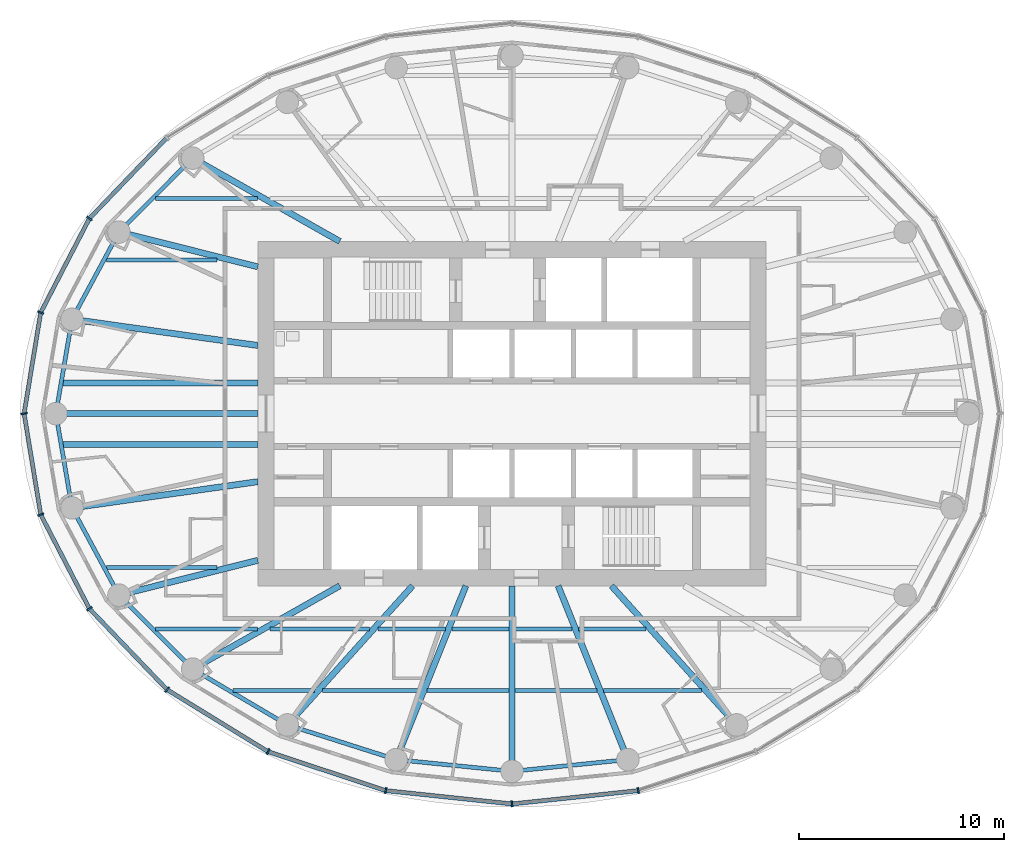
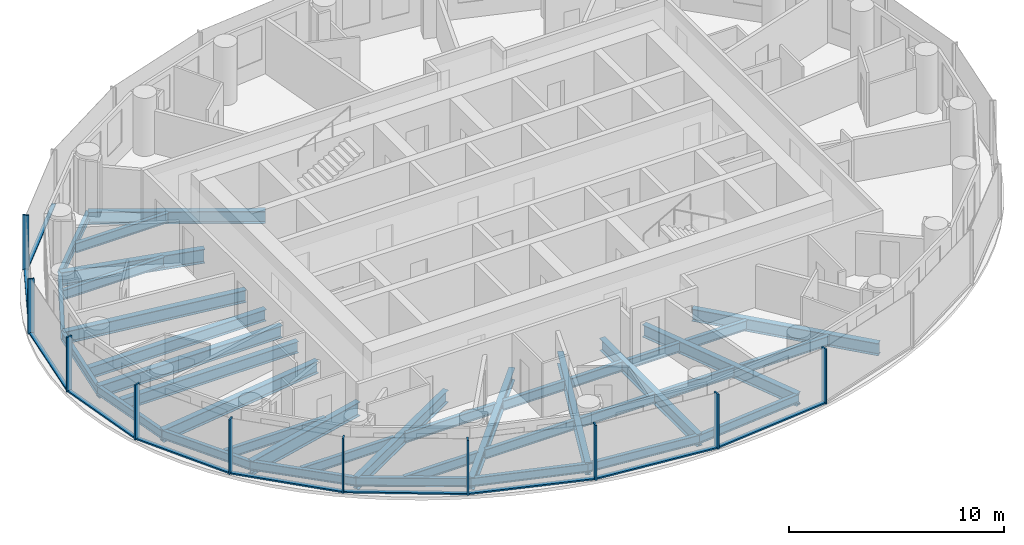
# One storey, part 2 of 14: 38 beams, 20 members, 3 elements without a shape of their own.
"""IFC4 building model written with IfcOpenShell, lengths in metres."""

from ifc_helpers import new_model, si_unit, direction, frame, origin, origin_2d, place, context, subcontext, project, spatial, rectangle, i_section, extrude, material, material_profile, profile_set, type_object, element, aggregate, save


model = new_model("IFC4")

# Units and contexts
model_context = context("Model", 3, precision=1e-05, world=origin(), true_north=direction((0.0, 1.0)))
body_context = subcontext(model_context, "Body", "Model", "MODEL_VIEW")
ifc_project = project(units=[si_unit("LENGTHUNIT", "METRE"), si_unit("AREAUNIT", "SQUARE_METRE"), si_unit("VOLUMEUNIT", "CUBIC_METRE"), si_unit("PLANEANGLEUNIT", "RADIAN"), si_unit("MASSUNIT", "GRAM", prefix="KILO")], contexts=[model_context])

# Site, building, storey
site_placement = place(None, origin())
site = spatial("IfcSite", under=ifc_project, at=site_placement, CompositionType="ELEMENT")
building_placement = place(site_placement, origin())
building = spatial("IfcBuilding", under=site, at=building_placement, Name="Hankou Lantern Tower", CompositionType="ELEMENT")
storey_placement = place(building_placement, frame((0.0, 0.0, 176.39990234375)))
storey = spatial("IfcBuildingStorey", under=building, at=storey_placement, Name="L47", CompositionType="ELEMENT", Elevation=176.39990234375)

# Beams
ifc_material_1 = material(Name="Steel Q355B", Category="steel")
ifc_material_profile_1 = material_profile(ifc_material_1, i_section(OverallWidth=0.199951171875, OverallDepth=0.5, WebThickness=0.010009765625, FlangeThickness=0.01611328125, FilletRadius=0.012939453125, at=origin_2d()), Name="HN500x200x10x16")
ifc_profile_set_1 = profile_set([ifc_material_profile_1], Name="Steel Q355B")
beam_type_1 = type_object("IfcBeamType", Name="EB5 RING BEAM HN500x200x10x16", PredefinedType="SPANDREL", material=ifc_profile_set_1)
beam_1_placement = place(storey_placement, frame((-15.576171875, 12.4609375, -0.429931640625), z_axis=(-0.706147278092, -0.708064984054, 0.0), x_axis=(0.708064984054, -0.706147278092, 0.0)))
element("IfcBeam", 1, at=beam_1_placement, inside=storey, type_object=beam_type_1, Name="Ring beam R10-R11 L47", PredefinedType="SPANDREL", context=body_context, shape_type="SweptSolid", body=[
    extrude(i_section(OverallWidth=0.199951171875, OverallDepth=0.5, WebThickness=0.010009765625, FlangeThickness=0.01611328125, FilletRadius=0.012939453125, at=origin_2d()), origin(), (0.0, 0.0, 1.0), 5.09228515625),
])
beam_2_placement = place(storey_placement, frame((-19.172119140625, 8.855224609375, -0.429931640625), z_axis=(-0.474051612334, -0.880497057828, 0.0), x_axis=(0.880497057828, -0.474051612334, 0.0)))
element("IfcBeam", 2, at=beam_2_placement, inside=storey, type_object=beam_type_1, Name="Ring beam R11-R12 L47", PredefinedType="SPANDREL", context=body_context, shape_type="SweptSolid", body=[
    extrude(i_section(OverallWidth=0.199951171875, OverallDepth=0.5, WebThickness=0.010009765625, FlangeThickness=0.01611328125, FilletRadius=0.012939453125, at=origin_2d()), origin(), (0.0, 0.0, 1.0), 4.831787109375),
])
for number, where, z_axis, x_axis, name in (
    (3, (-21.462646484375, 4.600830078125, -0.429931640625), (-0.168680718946, -0.985670743735, 0.0), (0.985670743735, -0.168680718946, 0.0), "Ring beam R12-R13 L47"),
    (4, (-22.25, 0.0, -0.429931640625), (0.168680718946, -0.985670743735, 0.0), (0.985670743735, 0.168680718946, 0.0), "Ring beam R13-R14 L47"),
):
    element("IfcBeam", number, at=place(storey_placement, frame(where, z_axis=z_axis, x_axis=x_axis)), inside=storey, type_object=beam_type_1, Name=name, PredefinedType="SPANDREL", context=body_context, shape_type="SweptSolid", body=[
        extrude(i_section(OverallWidth=0.199951171875, OverallDepth=0.5, WebThickness=0.010009765625, FlangeThickness=0.01611328125, FilletRadius=0.012939453125, at=origin_2d()), origin(), (0.0, 0.0, 1.0), 4.667724609375),
    ])
beam_3_placement = place(storey_placement, frame((-21.462646484375, -4.600830078125, -0.429931640625), z_axis=(0.474051612334, -0.880497057828, 0.0), x_axis=(0.880497057828, 0.474051612334, 0.0)))
element("IfcBeam", 5, at=beam_3_placement, inside=storey, type_object=beam_type_1, Name="Ring beam R14-R15 L47", PredefinedType="SPANDREL", context=body_context, shape_type="SweptSolid", body=[
    extrude(i_section(OverallWidth=0.199951171875, OverallDepth=0.5, WebThickness=0.010009765625, FlangeThickness=0.01611328125, FilletRadius=0.012939453125, at=origin_2d()), origin(), (0.0, 0.0, 1.0), 4.831787109375),
])
beam_4_placement = place(storey_placement, frame((-19.172119140625, -8.855224609375, -0.429931640625), z_axis=(0.706147278092, -0.708064984054, 0.0), x_axis=(0.708064984054, 0.706147278092, 0.0)))
element("IfcBeam", 6, at=beam_4_placement, inside=storey, type_object=beam_type_1, Name="Ring beam R15-R16 L47", PredefinedType="SPANDREL", context=body_context, shape_type="SweptSolid", body=[
    extrude(i_section(OverallWidth=0.199951171875, OverallDepth=0.5, WebThickness=0.010009765625, FlangeThickness=0.01611328125, FilletRadius=0.012939453125, at=origin_2d()), origin(), (0.0, 0.0, 1.0), 5.09228515625),
])
beam_5_placement = place(storey_placement, frame((-15.576171875, -12.4609375, -0.429931640625), z_axis=(0.861135888339, -0.508374843806, 0.0), x_axis=(0.508374843806, 0.861135888339, 0.0)))
element("IfcBeam", 7, at=beam_5_placement, inside=storey, type_object=beam_type_1, Name="Ring beam R16-R17 L47", PredefinedType="SPANDREL", context=body_context, shape_type="SweptSolid", body=[
    extrude(i_section(OverallWidth=0.199951171875, OverallDepth=0.5, WebThickness=0.010009765625, FlangeThickness=0.01611328125, FilletRadius=0.012939453125, at=origin_2d()), origin(), (0.0, 0.0, 1.0), 5.36083984375),
])
beam_6_placement = place(storey_placement, frame((-10.959716796875, -15.186279296875, -0.429931640625), z_axis=(0.952790404271, -0.30362879562, 0.0), x_axis=(0.30362879562, 0.952790404271, 0.0)))
element("IfcBeam", 8, at=beam_6_placement, inside=storey, type_object=beam_type_1, Name="Ring beam R17-R18 L47", PredefinedType="SPANDREL", context=body_context, shape_type="SweptSolid", body=[
    extrude(i_section(OverallWidth=0.199951171875, OverallDepth=0.5, WebThickness=0.010009765625, FlangeThickness=0.01611328125, FilletRadius=0.012939453125, at=origin_2d()), origin(), (0.0, 0.0, 1.0), 5.56982421875),
])
for number, where, z_axis, x_axis, name in (
    (9, (-5.65283203125, -16.87744140625, -0.429931640625), (0.9949104636, -0.100762936734, 0.0), (0.100762936734, 0.9949104636, 0.0), "Ring beam R18-R19 L47"),
    (10, (0.0, -17.449951171875, -0.429931640625), (0.9949104636, 0.100762936734, 0.0), (-0.100762936734, 0.9949104636, 0.0), "Ring beam R19-R20 L47"),
):
    element("IfcBeam", number, at=place(storey_placement, frame(where, z_axis=z_axis, x_axis=x_axis)), inside=storey, type_object=beam_type_1, Name=name, PredefinedType="SPANDREL", context=body_context, shape_type="SweptSolid", body=[
        extrude(i_section(OverallWidth=0.199951171875, OverallDepth=0.5, WebThickness=0.010009765625, FlangeThickness=0.01611328125, FilletRadius=0.012939453125, at=origin_2d()), origin(), (0.0, 0.0, 1.0), 5.681640625),
    ])

# Curtain wall, members
ifc_material_2 = material(Name="Glass, dark grey tinted laminated", Category="glass")
curtain_wall_type = type_object("IfcCurtainWallType", Name="CWC OUTER SKIN HIGH-RISE", PredefinedType="USERDEFINED", material=ifc_material_2)
curtain_wall_1_placement = place(storey_placement, origin())
curtain_wall_1 = element("IfcCurtainWall", 11, at=curtain_wall_1_placement, inside=storey, type_object=curtain_wall_type, Name="CWC L47 OS2", ObjectType="OUTER SKIN HIGH-RISE", PredefinedType="USERDEFINED")
ifc_material_3 = material(Name="Aluminium, black anodised", Category="aluminium")
ifc_material_profile_2 = material_profile(ifc_material_3, rectangle(XDim=0.080078125, YDim=0.300048828125, at=origin_2d()), Name="MU1 80X300")
ifc_profile_set_2 = profile_set([ifc_material_profile_2], Name="Aluminium, black anodised")
member_type_1 = type_object("IfcMemberType", Name="MU1 OUTER SKIN MULLION 80X300", PredefinedType="MULLION", material=ifc_profile_set_2)
member_1_placement = place(storey_placement, frame((-20.611328125, 9.52001953125, 0.0), z_axis=(0.0, 0.0, 1.0), x_axis=(-0.585205735974, -0.810884854084, 0.0)))
member_1 = element("IfcMember", 12, at=member_1_placement, type_object=member_type_1, Name="CWC mullion 5", PredefinedType="MULLION", context=body_context, shape_type="SweptSolid", body=[
    extrude(rectangle(XDim=0.080078125, YDim=0.300048828125, at=origin_2d()), origin(), (0.0, 0.0, 1.0), 3.1201171875),
])
member_2_placement = place(storey_placement, frame((-22.989013671875, 4.927978515625, 0.0), z_axis=(0.0, 0.0, 1.0), x_axis=(-0.317595577365, -0.94822626479, 0.0)))
member_2 = element("IfcMember", 13, at=member_2_placement, type_object=member_type_1, Name="CWC mullion 6", PredefinedType="MULLION", context=body_context, shape_type="SweptSolid", body=[
    extrude(rectangle(XDim=0.080078125, YDim=0.300048828125, at=origin_2d()), origin(), (0.0, 0.0, 1.0), 3.1201171875),
])

curtain_wall_2_placement = place(storey_placement, origin())
curtain_wall_2 = element("IfcCurtainWall", 14, at=curtain_wall_2_placement, inside=storey, type_object=curtain_wall_type, Name="CWC L47 OS3", ObjectType="OUTER SKIN HIGH-RISE", PredefinedType="USERDEFINED")
member_3_placement = place(storey_placement, frame((-23.800048828125, 0.0, 0.0), z_axis=(0.0, 0.0, 1.0), x_axis=(0.162381515188, -0.986728049427, 0.0)))
member_3 = element("IfcMember", 15, at=member_3_placement, type_object=member_type_1, Name="CWC mullion 1", PredefinedType="MULLION", context=body_context, shape_type="SweptSolid", body=[
    extrude(rectangle(XDim=0.080078125, YDim=0.300048828125, at=origin_2d()), origin(), (0.0, 0.0, 1.0), 3.1201171875),
])
member_4_placement = place(storey_placement, frame((-22.989013671875, -4.927978515625, 0.0), z_axis=(0.0, 0.0, 1.0), x_axis=(0.317595577365, -0.94822626479, 0.0)))
member_4 = element("IfcMember", 16, at=member_4_placement, type_object=member_type_1, Name="CWC mullion 2", PredefinedType="MULLION", context=body_context, shape_type="SweptSolid", body=[
    extrude(rectangle(XDim=0.080078125, YDim=0.300048828125, at=origin_2d()), origin(), (0.0, 0.0, 1.0), 3.1201171875),
])
member_5_placement = place(storey_placement, frame((-20.611328125, -9.52001953125, 0.0), z_axis=(0.0, 0.0, 1.0), x_axis=(0.585205735974, -0.810884854084, 0.0)))
member_5 = element("IfcMember", 17, at=member_5_placement, type_object=member_type_1, Name="CWC mullion 3", PredefinedType="MULLION", context=body_context, shape_type="SweptSolid", body=[
    extrude(rectangle(XDim=0.080078125, YDim=0.300048828125, at=origin_2d()), origin(), (0.0, 0.0, 1.0), 3.1201171875),
])
member_6_placement = place(storey_placement, frame((-16.8291015625, -13.46337890625, 0.0), z_axis=(0.0, 0.0, 1.0), x_axis=(0.780868809444, -0.624695047553, 0.0)))
member_6 = element("IfcMember", 18, at=member_6_placement, type_object=member_type_1, Name="CWC mullion 4", PredefinedType="MULLION", context=body_context, shape_type="SweptSolid", body=[
    extrude(rectangle(XDim=0.080078125, YDim=0.300048828125, at=origin_2d()), origin(), (0.0, 0.0, 1.0), 3.1201171875),
])
member_7_placement = place(storey_placement, frame((-11.89990234375, -16.489013671875, 0.0), z_axis=(0.0, 0.0, 1.0), x_axis=(0.907841299004, -0.419313934686, 0.0)))
member_7 = element("IfcMember", 19, at=member_7_placement, type_object=member_type_1, Name="CWC mullion 5", PredefinedType="MULLION", context=body_context, shape_type="SweptSolid", body=[
    extrude(rectangle(XDim=0.080078125, YDim=0.300048828125, at=origin_2d()), origin(), (0.0, 0.0, 1.0), 3.1201171875),
])
member_8_placement = place(storey_placement, frame((-6.159912109375, -18.39111328125, 0.0), z_axis=(0.0, 0.0, 1.0), x_axis=(0.977787659625, -0.209597931016, 0.0)))
member_8 = element("IfcMember", 20, at=member_8_placement, type_object=member_type_1, Name="CWC mullion 6", PredefinedType="MULLION", context=body_context, shape_type="SweptSolid", body=[
    extrude(rectangle(XDim=0.080078125, YDim=0.300048828125, at=origin_2d()), origin(), (0.0, 0.0, 1.0), 3.1201171875),
])

curtain_wall_3_placement = place(storey_placement, origin())
curtain_wall_3 = element("IfcCurtainWall", 21, at=curtain_wall_3_placement, inside=storey, type_object=curtain_wall_type, Name="CWC L47 OS4", ObjectType="OUTER SKIN HIGH-RISE", PredefinedType="USERDEFINED")
member_9_placement = place(storey_placement, frame((0.0, -19.0400390625, 0.0), z_axis=(0.0, 0.0, 1.0), x_axis=(0.994499359107, 0.104742659579, 0.0)))
member_9 = element("IfcMember", 22, at=member_9_placement, type_object=member_type_1, Name="CWC mullion 1", PredefinedType="MULLION", context=body_context, shape_type="SweptSolid", body=[
    extrude(rectangle(XDim=0.080078125, YDim=0.300048828125, at=origin_2d()), origin(), (0.0, 0.0, 1.0), 3.1201171875),
])
member_10_placement = place(storey_placement, frame((6.159912109375, -18.39111328125, 0.0), z_axis=(0.0, 0.0, 1.0), x_axis=(0.977787659625, 0.209597931016, 0.0)))
member_10 = element("IfcMember", 23, at=member_10_placement, type_object=member_type_1, Name="CWC mullion 2", PredefinedType="MULLION", context=body_context, shape_type="SweptSolid", body=[
    extrude(rectangle(XDim=0.080078125, YDim=0.300048828125, at=origin_2d()), origin(), (0.0, 0.0, 1.0), 3.1201171875),
])

# Beams
ifc_material_4 = material(Name="Steel Q355B", Category="steel")
ifc_material_profile_3 = material_profile(ifc_material_4, i_section(OverallWidth=0.300048828125, OverallDepth=0.800048828125, WebThickness=0.013916015625, FlangeThickness=0.02587890625, FilletRadius=0.01806640625, at=origin_2d()), Name="HN800x300x14x26")
ifc_profile_set_3 = profile_set([ifc_material_profile_3], Name="Steel Q355B")
beam_type_2 = type_object("IfcBeamType", Name="RB11 RADIAL BEAM HN800x300x14x26", PredefinedType="BEAM", material=ifc_profile_set_3)
for number, where, z_axis, x_axis, name in (
    (24, (-12.39990234375, 7.1591796875, -0.579833984375), (-0.970041619568, 0.242938791274, 0.0), (-0.242938791274, -0.970041619568, 0.0), "Radial beam R11 L47"),
    (25, (-12.39990234375, -7.1591796875, -0.579833984375), (-0.970041619568, -0.242938791274, 0.0), (0.242938791274, -0.970041619568, 0.0), "Radial beam R15 L47"),
):
    element("IfcBeam", number, at=place(storey_placement, frame(where, z_axis=z_axis, x_axis=x_axis)), inside=storey, type_object=beam_type_2, Name=name, PredefinedType="BEAM", context=body_context, shape_type="SweptSolid", body=[
        extrude(i_section(OverallWidth=0.300048828125, OverallDepth=0.800048828125, WebThickness=0.013916015625, FlangeThickness=0.02587890625, FilletRadius=0.01806640625, at=origin_2d()), origin(), (0.0, 0.0, 1.0), 6.9814453125),
    ])
ifc_material_5 = material(Name="Steel Q355B", Category="steel")
ifc_material_profile_4 = material_profile(ifc_material_5, i_section(OverallWidth=0.300048828125, OverallDepth=0.699951171875, WebThickness=0.012939453125, FlangeThickness=0.02392578125, FilletRadius=0.01806640625, at=origin_2d()), Name="HN700x300x13x24")
ifc_profile_set_4 = profile_set([ifc_material_profile_4], Name="Steel Q355B")
beam_type_3 = type_object("IfcBeamType", Name="RB9 RADIAL BEAM HN700x300x13x24", PredefinedType="BEAM", material=ifc_profile_set_4)
beam_7_placement = place(storey_placement, frame((-8.39990234375, 8.39990234375, -0.52978515625), z_axis=(-0.870309058024, 0.492505983234, 0.0), x_axis=(-0.492505983234, -0.870309058024, 0.0)))
element("IfcBeam", 26, at=beam_7_placement, inside=storey, type_object=beam_type_3, Name="Radial beam R10 L47", PredefinedType="BEAM", context=body_context, shape_type="SweptSolid", body=[
    extrude(i_section(OverallWidth=0.300048828125, OverallDepth=0.699951171875, WebThickness=0.012939453125, FlangeThickness=0.02392578125, FilletRadius=0.01806640625, at=origin_2d()), origin(), (0.0, 0.0, 1.0), 8.24560546875),
])
beam_8_placement = place(storey_placement, frame((-12.39990234375, 3.322509765625, -0.52978515625), z_axis=(-0.990198154617, 0.13966966239, 0.0), x_axis=(-0.13966966239, -0.990198154617, 0.0)))
element("IfcBeam", 27, at=beam_8_placement, inside=storey, type_object=beam_type_3, Name="Radial beam R12 L47", PredefinedType="BEAM", context=body_context, shape_type="SweptSolid", body=[
    extrude(i_section(OverallWidth=0.300048828125, OverallDepth=0.699951171875, WebThickness=0.012939453125, FlangeThickness=0.02392578125, FilletRadius=0.01806640625, at=origin_2d()), origin(), (0.0, 0.0, 1.0), 9.15234375),
])
beam_9_placement = place(storey_placement, frame((-12.39990234375, 0.0, -0.52978515625), z_axis=(-1.0, 0.0, 0.0), x_axis=(0.0, -1.0, 0.0)))
element("IfcBeam", 28, at=beam_9_placement, inside=storey, type_object=beam_type_3, Name="Radial beam R13 L47", PredefinedType="BEAM", context=body_context, shape_type="SweptSolid", body=[
    extrude(i_section(OverallWidth=0.300048828125, OverallDepth=0.699951171875, WebThickness=0.012939453125, FlangeThickness=0.02392578125, FilletRadius=0.01806640625, at=origin_2d()), origin(), (0.0, 0.0, 1.0), 9.85009765625),
])
beam_10_placement = place(storey_placement, frame((-12.39990234375, -3.322509765625, -0.52978515625), z_axis=(-0.990198154617, -0.13966966239, 0.0), x_axis=(0.13966966239, -0.990198154617, 0.0)))
element("IfcBeam", 29, at=beam_10_placement, inside=storey, type_object=beam_type_3, Name="Radial beam R14 L47", PredefinedType="BEAM", context=body_context, shape_type="SweptSolid", body=[
    extrude(i_section(OverallWidth=0.300048828125, OverallDepth=0.699951171875, WebThickness=0.012939453125, FlangeThickness=0.02392578125, FilletRadius=0.01806640625, at=origin_2d()), origin(), (0.0, 0.0, 1.0), 9.15234375),
])
beam_11_placement = place(storey_placement, frame((-8.39990234375, -8.39990234375, -0.52978515625), z_axis=(-0.870309058024, -0.492505983234, 0.0), x_axis=(0.492505983234, -0.870309058024, 0.0)))
element("IfcBeam", 30, at=beam_11_placement, inside=storey, type_object=beam_type_3, Name="Radial beam R16 L47", PredefinedType="BEAM", context=body_context, shape_type="SweptSolid", body=[
    extrude(i_section(OverallWidth=0.300048828125, OverallDepth=0.699951171875, WebThickness=0.012939453125, FlangeThickness=0.02392578125, FilletRadius=0.01806640625, at=origin_2d()), origin(), (0.0, 0.0, 1.0), 8.24560546875),
])
beam_12_placement = place(storey_placement, frame((-4.849853515625, -8.39990234375, -0.52978515625), z_axis=(-0.669093231314, -0.743178476418, 0.0), x_axis=(0.743178476418, -0.669093231314, 0.0)))
element("IfcBeam", 31, at=beam_12_placement, inside=storey, type_object=beam_type_3, Name="Radial beam R17 L47", PredefinedType="BEAM", context=body_context, shape_type="SweptSolid", body=[
    extrude(i_section(OverallWidth=0.300048828125, OverallDepth=0.699951171875, WebThickness=0.012939453125, FlangeThickness=0.02392578125, FilletRadius=0.01806640625, at=origin_2d()), origin(), (0.0, 0.0, 1.0), 9.131591796875),
])
beam_13_placement = place(storey_placement, frame((-2.250732421875, -8.39990234375, -0.52978515625), z_axis=(-0.372436468133, -0.928057690666, 0.0), x_axis=(0.928057690666, -0.372436468133, 0.0)))
element("IfcBeam", 32, at=beam_13_placement, inside=storey, type_object=beam_type_3, Name="Radial beam R18 L47", PredefinedType="BEAM", context=body_context, shape_type="SweptSolid", body=[
    extrude(i_section(OverallWidth=0.300048828125, OverallDepth=0.699951171875, WebThickness=0.012939453125, FlangeThickness=0.02392578125, FilletRadius=0.01806640625, at=origin_2d()), origin(), (0.0, 0.0, 1.0), 9.134765625),
])
beam_14_placement = place(storey_placement, frame((0.0, -8.39990234375, -0.52978515625), z_axis=(0.0, -1.0, 0.0), x_axis=(1.0, 0.0, 0.0)))
element("IfcBeam", 33, at=beam_14_placement, inside=storey, type_object=beam_type_3, Name="Radial beam R19 L47", PredefinedType="BEAM", context=body_context, shape_type="SweptSolid", body=[
    extrude(i_section(OverallWidth=0.300048828125, OverallDepth=0.699951171875, WebThickness=0.012939453125, FlangeThickness=0.02392578125, FilletRadius=0.01806640625, at=origin_2d()), origin(), (0.0, 0.0, 1.0), 9.050048828125),
])
beam_15_placement = place(storey_placement, frame((2.250732421875, -8.39990234375, -0.52978515625), z_axis=(0.372436468133, -0.928057690666, 0.0), x_axis=(0.928057690666, 0.372436468133, 0.0)))
element("IfcBeam", 34, at=beam_15_placement, inside=storey, type_object=beam_type_3, Name="Radial beam R20 L47", PredefinedType="BEAM", context=body_context, shape_type="SweptSolid", body=[
    extrude(i_section(OverallWidth=0.300048828125, OverallDepth=0.699951171875, WebThickness=0.012939453125, FlangeThickness=0.02392578125, FilletRadius=0.01806640625, at=origin_2d()), origin(), (0.0, 0.0, 1.0), 9.134765625),
])
beam_16_placement = place(storey_placement, frame((4.849853515625, -8.39990234375, -0.52978515625), z_axis=(0.669093231314, -0.743178476418, 0.0), x_axis=(0.743178476418, 0.669093231314, 0.0)))
element("IfcBeam", 35, at=beam_16_placement, inside=storey, type_object=beam_type_3, Name="Radial beam R21 L47", PredefinedType="BEAM", context=body_context, shape_type="SweptSolid", body=[
    extrude(i_section(OverallWidth=0.300048828125, OverallDepth=0.699951171875, WebThickness=0.012939453125, FlangeThickness=0.02392578125, FilletRadius=0.01806640625, at=origin_2d()), origin(), (0.0, 0.0, 1.0), 9.131591796875),
])
ifc_material_6 = material(Name="Steel Q355B", Category="steel")
ifc_material_profile_5 = material_profile(ifc_material_6, i_section(OverallWidth=0.199951171875, OverallDepth=0.550048828125, WebThickness=0.010009765625, FlangeThickness=0.01611328125, FilletRadius=0.012939453125, at=origin_2d()), Name="HN550x200x10x16")
ifc_profile_set_5 = profile_set([ifc_material_profile_5], Name="Steel Q355B")
beam_type_4 = type_object("IfcBeamType", Name="SB6 SECONDARY BEAM HN550x200x10x16", PredefinedType="JOIST", material=ifc_profile_set_5)
beam_17_placement = place(storey_placement, frame((-13.619384765625, -13.5, -0.454833984375), z_axis=(1.0, 0.0, 0.0), x_axis=(0.0, 1.0, 0.0)))
element("IfcBeam", 36, at=beam_17_placement, inside=storey, type_object=beam_type_4, Name="Floor joist J001 L47", PredefinedType="JOIST", context=body_context, shape_type="SweptSolid", body=[
    extrude(i_section(OverallWidth=0.199951171875, OverallDepth=0.550048828125, WebThickness=0.010009765625, FlangeThickness=0.01611328125, FilletRadius=0.012939453125, at=origin_2d()), origin(), (0.0, 0.0, 1.0), 3.97607421875),
])
beam_18_placement = place(storey_placement, frame((-9.23974609375, -13.5, -0.454833984375), z_axis=(1.0, 0.0, 0.0), x_axis=(0.0, 1.0, 0.0)))
element("IfcBeam", 37, at=beam_18_placement, inside=storey, type_object=beam_type_4, Name="Floor joist J002 L47", PredefinedType="JOIST", context=body_context, shape_type="SweptSolid", body=[
    extrude(i_section(OverallWidth=0.199951171875, OverallDepth=0.550048828125, WebThickness=0.010009765625, FlangeThickness=0.01611328125, FilletRadius=0.012939453125, at=origin_2d()), origin(), (0.0, 0.0, 1.0), 4.780517578125),
])
for number, where, z_axis, x_axis, name in (
    (38, (-4.135986328125, -13.5, -0.454833984375), (1.0, 0.0, 0.0), (0.0, 1.0, 0.0), "Floor joist J003 L47"),
    (39, (0.14990234375, -13.5, -0.454833984375), (1.0, 0.0, 0.0), (0.0, 1.0, 0.0), "Floor joist J004 L47"),
):
    element("IfcBeam", number, at=place(storey_placement, frame(where, z_axis=z_axis, x_axis=x_axis)), inside=storey, type_object=beam_type_4, Name=name, PredefinedType="JOIST", context=body_context, shape_type="SweptSolid", body=[
        extrude(i_section(OverallWidth=0.199951171875, OverallDepth=0.550048828125, WebThickness=0.010009765625, FlangeThickness=0.01611328125, FilletRadius=0.012939453125, at=origin_2d()), origin(), (0.0, 0.0, 1.0), 3.986083984375),
    ])
beam_19_placement = place(storey_placement, frame((4.459228515625, -13.5, -0.454833984375), z_axis=(1.0, 0.0, 0.0), x_axis=(0.0, 1.0, 0.0)))
element("IfcBeam", 40, at=beam_19_placement, inside=storey, type_object=beam_type_4, Name="Floor joist J005 L47", PredefinedType="JOIST", context=body_context, shape_type="SweptSolid", body=[
    extrude(i_section(OverallWidth=0.199951171875, OverallDepth=0.550048828125, WebThickness=0.010009765625, FlangeThickness=0.01611328125, FilletRadius=0.012939453125, at=origin_2d()), origin(), (0.0, 0.0, 1.0), 4.780517578125),
])
beam_20_placement = place(storey_placement, frame((-17.390625, -10.5, -0.454833984375), z_axis=(1.0, 0.0, 0.0), x_axis=(0.0, 1.0, 0.0)))
element("IfcBeam", 41, at=beam_20_placement, inside=storey, type_object=beam_type_4, Name="Floor joist J007 L47", PredefinedType="JOIST", context=body_context, shape_type="SweptSolid", body=[
    extrude(i_section(OverallWidth=0.199951171875, OverallDepth=0.550048828125, WebThickness=0.010009765625, FlangeThickness=0.01611328125, FilletRadius=0.012939453125, at=origin_2d()), origin(), (0.0, 0.0, 1.0), 4.97509765625),
])
beam_21_placement = place(storey_placement, frame((-11.806396484375, -10.5, -0.454833984375), z_axis=(1.0, 0.0, 0.0), x_axis=(0.0, 1.0, 0.0)))
element("IfcBeam", 42, at=beam_21_placement, inside=storey, type_object=beam_type_4, Name="Floor joist J008 L47", PredefinedType="JOIST", context=body_context, shape_type="SweptSolid", body=[
    extrude(i_section(OverallWidth=0.199951171875, OverallDepth=0.550048828125, WebThickness=0.010009765625, FlangeThickness=0.01611328125, FilletRadius=0.012939453125, at=origin_2d()), origin(), (0.0, 0.0, 1.0), 4.864013671875),
])
beam_22_placement = place(storey_placement, frame((-6.53857421875, -10.5, -0.454833984375), z_axis=(1.0, 0.0, 0.0), x_axis=(0.0, 1.0, 0.0)))
element("IfcBeam", 43, at=beam_22_placement, inside=storey, type_object=beam_type_4, Name="Floor joist J009 L47", PredefinedType="JOIST", context=body_context, shape_type="SweptSolid", body=[
    extrude(i_section(OverallWidth=0.199951171875, OverallDepth=0.550048828125, WebThickness=0.010009765625, FlangeThickness=0.01611328125, FilletRadius=0.012939453125, at=origin_2d()), origin(), (0.0, 0.0, 1.0), 3.283447265625),
])
for number, where, z_axis, x_axis, name in (
    (44, (-2.931884765625, -10.5, -0.454833984375), (1.0, 0.0, 0.0), (0.0, 1.0, 0.0), "Floor joist J010 L47"),
    (45, (0.14990234375, -10.5, -0.454833984375), (1.0, 0.0, 0.0), (0.0, 1.0, 0.0), "Floor joist J011 L47"),
):
    element("IfcBeam", number, at=place(storey_placement, frame(where, z_axis=z_axis, x_axis=x_axis)), inside=storey, type_object=beam_type_4, Name=name, PredefinedType="JOIST", context=body_context, shape_type="SweptSolid", body=[
        extrude(i_section(OverallWidth=0.199951171875, OverallDepth=0.550048828125, WebThickness=0.010009765625, FlangeThickness=0.01611328125, FilletRadius=0.012939453125, at=origin_2d()), origin(), (0.0, 0.0, 1.0), 2.781982421875),
    ])
beam_23_placement = place(storey_placement, frame((3.255126953125, -10.5, -0.454833984375), z_axis=(1.0, 0.0, 0.0), x_axis=(0.0, 1.0, 0.0)))
element("IfcBeam", 46, at=beam_23_placement, inside=storey, type_object=beam_type_4, Name="Floor joist J012 L47", PredefinedType="JOIST", context=body_context, shape_type="SweptSolid", body=[
    extrude(i_section(OverallWidth=0.199951171875, OverallDepth=0.550048828125, WebThickness=0.010009765625, FlangeThickness=0.01611328125, FilletRadius=0.012939453125, at=origin_2d()), origin(), (0.0, 0.0, 1.0), 3.283447265625),
])
for number, where, z_axis, x_axis, name in (
    (47, (-19.788330078125, -7.5, -0.454833984375), (1.0, 0.0, 0.0), (0.0, 1.0, 0.0), "Floor joist J015 L47"),
    (48, (-19.788330078125, 7.5, -0.454833984375), (1.0, 0.0, 0.0), (0.0, 1.0, 0.0), "Floor joist J025 L47"),
):
    element("IfcBeam", number, at=place(storey_placement, frame(where, z_axis=z_axis, x_axis=x_axis)), inside=storey, type_object=beam_type_4, Name=name, PredefinedType="JOIST", context=body_context, shape_type="SweptSolid", body=[
        extrude(i_section(OverallWidth=0.199951171875, OverallDepth=0.550048828125, WebThickness=0.010009765625, FlangeThickness=0.01611328125, FilletRadius=0.012939453125, at=origin_2d()), origin(), (0.0, 0.0, 1.0), 5.409912109375),
    ])
beam_24_placement = place(storey_placement, frame((-17.390625, 10.5, -0.454833984375), z_axis=(1.0, 0.0, 0.0), x_axis=(0.0, 1.0, 0.0)))
element("IfcBeam", 49, at=beam_24_placement, inside=storey, type_object=beam_type_4, Name="Floor joist J027 L47", PredefinedType="JOIST", context=body_context, shape_type="SweptSolid", body=[
    extrude(i_section(OverallWidth=0.199951171875, OverallDepth=0.550048828125, WebThickness=0.010009765625, FlangeThickness=0.01611328125, FilletRadius=0.012939453125, at=origin_2d()), origin(), (0.0, 0.0, 1.0), 4.97509765625),
])
ifc_material_7 = material(Name="Steel Q355B", Category="steel")
ifc_material_profile_6 = material_profile(ifc_material_7, i_section(OverallWidth=0.300048828125, OverallDepth=0.64990234375, WebThickness=0.010986328125, FlangeThickness=0.01708984375, FilletRadius=0.01806640625, at=origin_2d()), Name="HN650x300x11x17")
ifc_profile_set_6 = profile_set([ifc_material_profile_6], Name="Steel Q355B")
beam_type_5 = type_object("IfcBeamType", Name="SB8 SECONDARY BEAM HN650x300x11x17", PredefinedType="JOIST", material=ifc_profile_set_6)
for number, where, z_axis, x_axis, name in (
    (50, (-21.891845703125, -1.5, -0.5048828125), (1.0, 0.0, 0.0), (0.0, 1.0, 0.0), "Floor joist J019 L47"),
    (51, (-21.891845703125, 1.5, -0.5048828125), (1.0, 0.0, 0.0), (0.0, 1.0, 0.0), "Floor joist J021 L47"),
):
    element("IfcBeam", number, at=place(storey_placement, frame(where, z_axis=z_axis, x_axis=x_axis)), inside=storey, type_object=beam_type_5, Name=name, PredefinedType="JOIST", context=body_context, shape_type="SweptSolid", body=[
        extrude(i_section(OverallWidth=0.300048828125, OverallDepth=0.64990234375, WebThickness=0.010986328125, FlangeThickness=0.01708984375, FilletRadius=0.01806640625, at=origin_2d()), origin(), (0.0, 0.0, 1.0), 9.491943359375),
    ])

# Member
ifc_material_8 = material(Name="Aluminium, black anodised", Category="aluminium")
ifc_material_profile_7 = material_profile(ifc_material_8, rectangle(XDim=0.199951171875, YDim=0.080078125, at=origin_2d()), Name="TR1 200X80")
ifc_profile_set_7 = profile_set([ifc_material_profile_7], Name="Aluminium, black anodised")
member_type_2 = type_object("IfcMemberType", Name="TR1 OUTER SKIN TRANSOM 200X80", PredefinedType="USERDEFINED", material=ifc_profile_set_7)
member_11_placement = place(storey_placement, frame((-16.85693359375, 13.434326171875, 0.0400390625), z_axis=(-0.692215543831, -0.721690820836, 0.0), x_axis=(0.721690820836, -0.692215543831, 0.0)))
member_11 = element("IfcMember", 52, at=member_11_placement, type_object=member_type_2, Name="CWC transom 4", ObjectType="TRANSOM", PredefinedType="USERDEFINED", context=body_context, shape_type="SweptSolid", body=[
    extrude(rectangle(XDim=0.199951171875, YDim=0.080078125, at=origin_2d()), origin(), (0.0, 0.0, 1.0), 5.3837890625),
])

member_12_placement = place(storey_placement, frame((-20.6298828125, 9.484375, 0.0400390625), z_axis=(-0.459790772977, -0.888027277219, 0.0), x_axis=(0.888027277219, -0.459790772977, 0.0)))
member_12 = element("IfcMember", 53, at=member_12_placement, type_object=member_type_2, Name="CWC transom 5", ObjectType="TRANSOM", PredefinedType="USERDEFINED", context=body_context, shape_type="SweptSolid", body=[
    extrude(rectangle(XDim=0.199951171875, YDim=0.080078125, at=origin_2d()), origin(), (0.0, 0.0, 1.0), 5.091064453125),
])

member_13_placement = place(storey_placement, frame((-22.99560546875, 4.888427734375, 0.0400390625), z_axis=(-0.162360337061, -0.986731534385, 0.0), x_axis=(0.986731534385, -0.162360337061, 0.0)))
member_13 = element("IfcMember", 54, at=member_13_placement, type_object=member_type_2, Name="CWC transom 6", ObjectType="TRANSOM", PredefinedType="USERDEFINED", context=body_context, shape_type="SweptSolid", body=[
    extrude(rectangle(XDim=0.199951171875, YDim=0.080078125, at=origin_2d()), origin(), (0.0, 0.0, 1.0), 4.9140625),
])

aggregate(curtain_wall_1, [member_1, member_2, member_11, member_12, member_13])

member_14_placement = place(storey_placement, frame((-23.79345703125, -0.03955078125, 0.0400390625), z_axis=(0.162360337061, -0.986731534385, 0.0), x_axis=(0.986731534385, 0.162360337061, 0.0)))
member_14 = element("IfcMember", 55, at=member_14_placement, type_object=member_type_2, Name="CWC transom 1", ObjectType="TRANSOM", PredefinedType="USERDEFINED", context=body_context, shape_type="SweptSolid", body=[
    extrude(rectangle(XDim=0.199951171875, YDim=0.080078125, at=origin_2d()), origin(), (0.0, 0.0, 1.0), 4.9140625),
])

member_15_placement = place(storey_placement, frame((-22.970703125, -4.96337890625, 0.0400390625), z_axis=(0.459790772977, -0.888027277219, 0.0), x_axis=(0.888027277219, 0.459790772977, 0.0)))
member_15 = element("IfcMember", 56, at=member_15_placement, type_object=member_type_2, Name="CWC transom 2", ObjectType="TRANSOM", PredefinedType="USERDEFINED", context=body_context, shape_type="SweptSolid", body=[
    extrude(rectangle(XDim=0.199951171875, YDim=0.080078125, at=origin_2d()), origin(), (0.0, 0.0, 1.0), 5.091064453125),
])

member_16_placement = place(storey_placement, frame((-20.583740234375, -9.548828125, 0.0400390625), z_axis=(0.692215543831, -0.721690820836, 0.0), x_axis=(0.721690820836, 0.692215543831, 0.0)))
member_16 = element("IfcMember", 57, at=member_16_placement, type_object=member_type_2, Name="CWC transom 3", ObjectType="TRANSOM", PredefinedType="USERDEFINED", context=body_context, shape_type="SweptSolid", body=[
    extrude(rectangle(XDim=0.199951171875, YDim=0.080078125, at=origin_2d()), origin(), (0.0, 0.0, 1.0), 5.3837890625),
])

member_17_placement = place(storey_placement, frame((-16.795166015625, -13.484130859375, 0.0400390625), z_axis=(0.852229482357, -0.523168146394, 0.0), x_axis=(0.523168146394, 0.852229482357, 0.0)))
member_17 = element("IfcMember", 58, at=member_17_placement, type_object=member_type_2, Name="CWC transom 4", ObjectType="TRANSOM", PredefinedType="USERDEFINED", context=body_context, shape_type="SweptSolid", body=[
    extrude(rectangle(XDim=0.199951171875, YDim=0.080078125, at=origin_2d()), origin(), (0.0, 0.0, 1.0), 5.703857421875),
])

member_18_placement = place(storey_placement, frame((-11.862060546875, -16.501708984375, 0.0400390625), z_axis=(0.949242327551, -0.314545709849, 0.0), x_axis=(0.314545709849, 0.949242327551, 0.0)))
member_18 = element("IfcMember", 59, at=member_18_placement, type_object=member_type_2, Name="CWC transom 5", ObjectType="TRANSOM", PredefinedType="USERDEFINED", context=body_context, shape_type="SweptSolid", body=[
    extrude(rectangle(XDim=0.199951171875, YDim=0.080078125, at=origin_2d()), origin(), (0.0, 0.0, 1.0), 5.96728515625),
])

member_19_placement = place(storey_placement, frame((-6.1201171875, -18.3955078125, 0.0400390625), z_axis=(0.994499543631, -0.104740907567, 0.0), x_axis=(0.104740907567, 0.994499543631, 0.0)))
member_19 = element("IfcMember", 60, at=member_19_placement, type_object=member_type_2, Name="CWC transom 6", ObjectType="TRANSOM", PredefinedType="USERDEFINED", context=body_context, shape_type="SweptSolid", body=[
    extrude(rectangle(XDim=0.199951171875, YDim=0.080078125, at=origin_2d()), origin(), (0.0, 0.0, 1.0), 6.114013671875),
])

aggregate(curtain_wall_2, [member_3, member_4, member_5, member_6, member_7, member_8, member_14, member_15, member_16, member_17, member_18, member_19])

member_20_placement = place(storey_placement, frame((0.039794921875, -19.035888671875, 0.0400390625), z_axis=(0.994499543631, 0.104740907567, 0.0), x_axis=(-0.104740907567, 0.994499543631, 0.0)))
member_20 = element("IfcMember", 61, at=member_20_placement, type_object=member_type_2, Name="CWC transom 1", ObjectType="TRANSOM", PredefinedType="USERDEFINED", context=body_context, shape_type="SweptSolid", body=[
    extrude(rectangle(XDim=0.199951171875, YDim=0.080078125, at=origin_2d()), origin(), (0.0, 0.0, 1.0), 6.114013671875),
])

aggregate(curtain_wall_3, [member_9, member_10, member_20])

save(model, "model.ifc")
